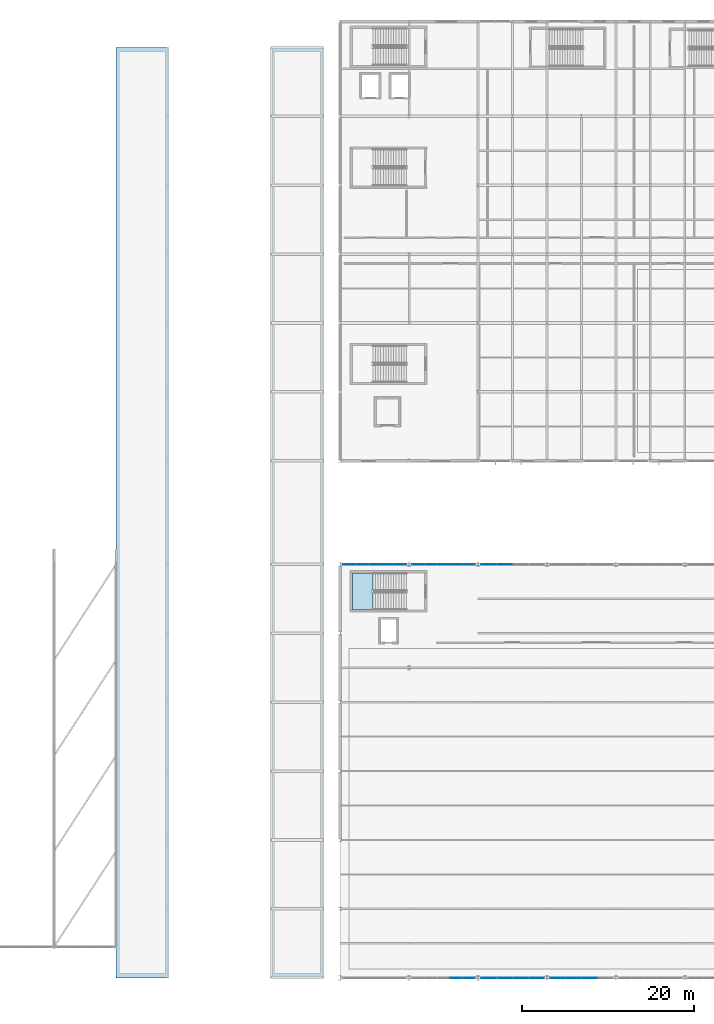
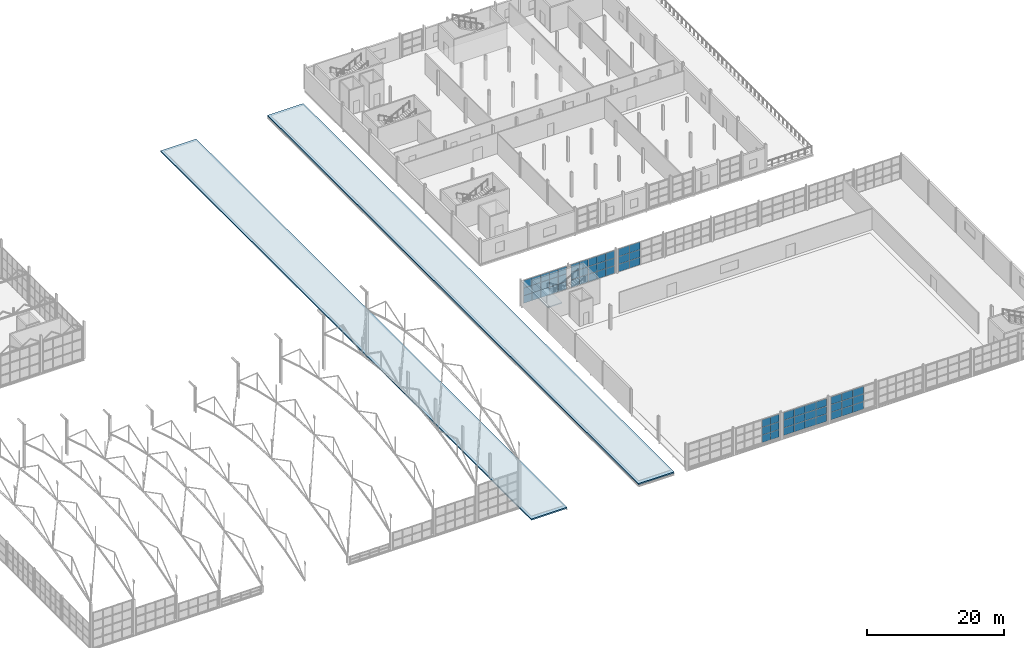
# One storey, part 123 of 153: 63 plates, 3 slabs, 7 elements without a shape of their own.
"""IFC4 building model written with IfcOpenShell, lengths in metres."""

from ifc_helpers import new_model, si_unit, derived_unit, direction, frame, origin, origin_2d, place, context, subcontext, project, spatial, polyline, rectangle, outline, extrude, material, layer, layer_set, type_object, element, aggregate, save


model = new_model("IFC4")

# Units and contexts
model_context = context("Model", 3, precision=1e-05, world=origin(), true_north=direction((0.0, 1.0)))
body_context = subcontext(model_context, "Body", "Model", "MODEL_VIEW")
ifc_project = project(units=[si_unit("LENGTHUNIT", "METRE"), si_unit("AREAUNIT", "SQUARE_METRE"), si_unit("VOLUMEUNIT", "CUBIC_METRE"), si_unit("PLANEANGLEUNIT", "RADIAN"), si_unit("MASSUNIT", "GRAM", prefix="KILO"), derived_unit("THERMALTRANSMITTANCEUNIT", [(si_unit("POWERUNIT", "WATT"), 1), (si_unit("LENGTHUNIT", "METRE"), -2), (si_unit("THERMODYNAMICTEMPERATUREUNIT", "KELVIN"), -1)])], contexts=[model_context])

# Site, building, storey
site_placement = place(None, origin())
site = spatial("IfcSite", under=ifc_project, at=site_placement, CompositionType="ELEMENT")
building_placement = place(site_placement, origin())
building = spatial("IfcBuilding", under=site, at=building_placement, Name="Keldorne Ridge Multi-Sports Centre", CompositionType="ELEMENT")
storey_placement = place(building_placement, frame((0.0, 0.0, 9.60009765625)))
storey = spatial("IfcBuildingStorey", under=building, at=storey_placement, Name="L02", CompositionType="ELEMENT", Elevation=9.60009765625)

# Curtain wall, plates
ifc_material_1 = material(Name="Anodized aluminium", Category="aluminium")
curtain_wall_type_1 = type_object("IfcCurtainWallType", Name="CW-CW-04", PredefinedType="NOTDEFINED", material=ifc_material_1)
curtain_wall_1_placement = place(storey_placement, origin())
curtain_wall_1 = element("IfcCurtainWall", 1, at=curtain_wall_1_placement, inside=storey, type_object=curtain_wall_type_1, Name="Upper Courts north glazing 092", PredefinedType="NOTDEFINED")
ifc_material_2 = material(Name="Double low-e insulated glazing", Category="glass")
ifc_layer_1 = layer(ifc_material_2, 0.035888671875)
ifc_layer_set_1 = layer_set([ifc_layer_1])
plate_type = type_object("IfcPlateType", Name="PLT-GL-01", PredefinedType="CURTAIN_PANEL", material=ifc_layer_set_1)
plate_1_placement = place(storey_placement, frame((110.927978515625, 54.0, 0.019775390625), z_axis=(0.0, 0.0, 1.0), x_axis=(-1.0, 0.0, 0.0)))
plate_1 = element("IfcPlate", 2, at=plate_1_placement, type_object=plate_type, Name="CW-092 glazed panel 1.1", PredefinedType="CURTAIN_PANEL", context=body_context, shape_type="SweptSolid", body=[
    extrude(rectangle(XDim=1.424072265625, YDim=0.035888671875, at=origin_2d()), origin(), (0.0, 0.0, 1.0), 1.32666015625),
])
plate_2_placement = place(storey_placement, frame((110.927978515625, 54.0, 1.386474609375), z_axis=(0.0, 0.0, 1.0), x_axis=(-1.0, 0.0, 0.0)))
plate_2 = element("IfcPlate", 3, at=plate_2_placement, type_object=plate_type, Name="CW-092 glazed panel 1.2", PredefinedType="CURTAIN_PANEL", context=body_context, shape_type="SweptSolid", body=[
    extrude(rectangle(XDim=1.424072265625, YDim=0.035888671875, at=origin_2d()), origin(), (0.0, 0.0, 1.0), 1.32666015625),
])
plate_3_placement = place(storey_placement, frame((110.927978515625, 54.0, 2.753173828125), z_axis=(0.0, 0.0, 1.0), x_axis=(-1.0, 0.0, 0.0)))
plate_3 = element("IfcPlate", 4, at=plate_3_placement, type_object=plate_type, Name="CW-092 glazed panel 1.3", PredefinedType="CURTAIN_PANEL", context=body_context, shape_type="SweptSolid", body=[
    extrude(rectangle(XDim=1.424072265625, YDim=0.035888671875, at=origin_2d()), origin(), (0.0, 0.0, 1.0), 1.32666015625),
])
plate_4_placement = place(storey_placement, frame((109.464111328125, 54.0, 0.019775390625), z_axis=(0.0, 0.0, 1.0), x_axis=(-1.0, 0.0, 0.0)))
plate_4 = element("IfcPlate", 5, at=plate_4_placement, type_object=plate_type, Name="CW-092 glazed panel 2.1", PredefinedType="CURTAIN_PANEL", context=body_context, shape_type="SweptSolid", body=[
    extrude(rectangle(XDim=1.424072265625, YDim=0.035888671875, at=origin_2d()), origin(), (0.0, 0.0, 1.0), 1.32666015625),
])
plate_5_placement = place(storey_placement, frame((109.464111328125, 54.0, 1.386474609375), z_axis=(0.0, 0.0, 1.0), x_axis=(-1.0, 0.0, 0.0)))
plate_5 = element("IfcPlate", 6, at=plate_5_placement, type_object=plate_type, Name="CW-092 glazed panel 2.2", PredefinedType="CURTAIN_PANEL", context=body_context, shape_type="SweptSolid", body=[
    extrude(rectangle(XDim=1.424072265625, YDim=0.035888671875, at=origin_2d()), origin(), (0.0, 0.0, 1.0), 1.32666015625),
])
plate_6_placement = place(storey_placement, frame((109.464111328125, 54.0, 2.753173828125), z_axis=(0.0, 0.0, 1.0), x_axis=(-1.0, 0.0, 0.0)))
plate_6 = element("IfcPlate", 7, at=plate_6_placement, type_object=plate_type, Name="CW-092 glazed panel 2.3", PredefinedType="CURTAIN_PANEL", context=body_context, shape_type="SweptSolid", body=[
    extrude(rectangle(XDim=1.424072265625, YDim=0.035888671875, at=origin_2d()), origin(), (0.0, 0.0, 1.0), 1.32666015625),
])
plate_7_placement = place(storey_placement, frame((108.0, 54.0, 0.019775390625), z_axis=(0.0, 0.0, 1.0), x_axis=(-1.0, 0.0, 0.0)))
plate_7 = element("IfcPlate", 8, at=plate_7_placement, type_object=plate_type, Name="CW-092 glazed panel 3.1", PredefinedType="CURTAIN_PANEL", context=body_context, shape_type="SweptSolid", body=[
    extrude(rectangle(XDim=1.424072265625, YDim=0.035888671875, at=origin_2d()), origin(), (0.0, 0.0, 1.0), 1.32666015625),
])
plate_8_placement = place(storey_placement, frame((108.0, 54.0, 1.386474609375), z_axis=(0.0, 0.0, 1.0), x_axis=(-1.0, 0.0, 0.0)))
plate_8 = element("IfcPlate", 9, at=plate_8_placement, type_object=plate_type, Name="CW-092 glazed panel 3.2", PredefinedType="CURTAIN_PANEL", context=body_context, shape_type="SweptSolid", body=[
    extrude(rectangle(XDim=1.424072265625, YDim=0.035888671875, at=origin_2d()), origin(), (0.0, 0.0, 1.0), 1.32666015625),
])
plate_9_placement = place(storey_placement, frame((108.0, 54.0, 2.753173828125), z_axis=(0.0, 0.0, 1.0), x_axis=(-1.0, 0.0, 0.0)))
plate_9 = element("IfcPlate", 10, at=plate_9_placement, type_object=plate_type, Name="CW-092 glazed panel 3.3", PredefinedType="CURTAIN_PANEL", context=body_context, shape_type="SweptSolid", body=[
    extrude(rectangle(XDim=1.424072265625, YDim=0.035888671875, at=origin_2d()), origin(), (0.0, 0.0, 1.0), 1.32666015625),
])
plate_10_placement = place(storey_placement, frame((106.535888671875, 54.0, 0.019775390625), z_axis=(0.0, 0.0, 1.0), x_axis=(-1.0, 0.0, 0.0)))
plate_10 = element("IfcPlate", 11, at=plate_10_placement, type_object=plate_type, Name="CW-092 glazed panel 4.1", PredefinedType="CURTAIN_PANEL", context=body_context, shape_type="SweptSolid", body=[
    extrude(rectangle(XDim=1.424072265625, YDim=0.035888671875, at=origin_2d()), origin(), (0.0, 0.0, 1.0), 1.32666015625),
])
plate_11_placement = place(storey_placement, frame((106.535888671875, 54.0, 1.386474609375), z_axis=(0.0, 0.0, 1.0), x_axis=(-1.0, 0.0, 0.0)))
plate_11 = element("IfcPlate", 12, at=plate_11_placement, type_object=plate_type, Name="CW-092 glazed panel 4.2", PredefinedType="CURTAIN_PANEL", context=body_context, shape_type="SweptSolid", body=[
    extrude(rectangle(XDim=1.424072265625, YDim=0.035888671875, at=origin_2d()), origin(), (0.0, 0.0, 1.0), 1.32666015625),
])
plate_12_placement = place(storey_placement, frame((106.535888671875, 54.0, 2.753173828125), z_axis=(0.0, 0.0, 1.0), x_axis=(-1.0, 0.0, 0.0)))
plate_12 = element("IfcPlate", 13, at=plate_12_placement, type_object=plate_type, Name="CW-092 glazed panel 4.3", PredefinedType="CURTAIN_PANEL", context=body_context, shape_type="SweptSolid", body=[
    extrude(rectangle(XDim=1.424072265625, YDim=0.035888671875, at=origin_2d()), origin(), (0.0, 0.0, 1.0), 1.32666015625),
])
plate_13_placement = place(storey_placement, frame((105.072021484375, 54.0, 0.019775390625), z_axis=(0.0, 0.0, 1.0), x_axis=(-1.0, 0.0, 0.0)))
plate_13 = element("IfcPlate", 14, at=plate_13_placement, type_object=plate_type, Name="CW-092 glazed panel 5.1", PredefinedType="CURTAIN_PANEL", context=body_context, shape_type="SweptSolid", body=[
    extrude(rectangle(XDim=1.424072265625, YDim=0.035888671875, at=origin_2d()), origin(), (0.0, 0.0, 1.0), 1.32666015625),
])
plate_14_placement = place(storey_placement, frame((105.072021484375, 54.0, 1.386474609375), z_axis=(0.0, 0.0, 1.0), x_axis=(-1.0, 0.0, 0.0)))
plate_14 = element("IfcPlate", 15, at=plate_14_placement, type_object=plate_type, Name="CW-092 glazed panel 5.2", PredefinedType="CURTAIN_PANEL", context=body_context, shape_type="SweptSolid", body=[
    extrude(rectangle(XDim=1.424072265625, YDim=0.035888671875, at=origin_2d()), origin(), (0.0, 0.0, 1.0), 1.32666015625),
])
plate_15_placement = place(storey_placement, frame((105.072021484375, 54.0, 2.753173828125), z_axis=(0.0, 0.0, 1.0), x_axis=(-1.0, 0.0, 0.0)))
plate_15 = element("IfcPlate", 16, at=plate_15_placement, type_object=plate_type, Name="CW-092 glazed panel 5.3", PredefinedType="CURTAIN_PANEL", context=body_context, shape_type="SweptSolid", body=[
    extrude(rectangle(XDim=1.424072265625, YDim=0.035888671875, at=origin_2d()), origin(), (0.0, 0.0, 1.0), 1.32666015625),
])
aggregate(curtain_wall_1, [plate_1, plate_2, plate_3, plate_4, plate_5, plate_6, plate_7, plate_8, plate_9, plate_10, plate_11, plate_12, plate_13, plate_14, plate_15])

curtain_wall_type_2 = type_object("IfcCurtainWallType", Name="CW-CW-07", PredefinedType="NOTDEFINED", material=ifc_material_1)
curtain_wall_2_placement = place(storey_placement, origin())
curtain_wall_2 = element("IfcCurtainWall", 17, at=curtain_wall_2_placement, inside=storey, type_object=curtain_wall_type_2, Name="Upper Courts south curtain wall 095", PredefinedType="NOTDEFINED")
plate_16_placement = place(storey_placement, frame((117.464111328125, 6.0, 0.019775390625), z_axis=(0.0, 0.0, 1.0), x_axis=(1.0, 0.0, 0.0)))
plate_16 = element("IfcPlate", 18, at=plate_16_placement, type_object=plate_type, Name="CW-095 glazed panel 4.1", PredefinedType="CURTAIN_PANEL", context=body_context, shape_type="SweptSolid", body=[
    extrude(rectangle(XDim=1.424072265625, YDim=0.035888671875, at=origin_2d()), origin(), (0.0, 0.0, 1.0), 1.32666015625),
])
plate_17_placement = place(storey_placement, frame((117.464111328125, 6.0, 1.386474609375), z_axis=(0.0, 0.0, 1.0), x_axis=(1.0, 0.0, 0.0)))
plate_17 = element("IfcPlate", 19, at=plate_17_placement, type_object=plate_type, Name="CW-095 glazed panel 4.2", PredefinedType="CURTAIN_PANEL", context=body_context, shape_type="SweptSolid", body=[
    extrude(rectangle(XDim=1.424072265625, YDim=0.035888671875, at=origin_2d()), origin(), (0.0, 0.0, 1.0), 1.32666015625),
])
plate_18_placement = place(storey_placement, frame((117.464111328125, 6.0, 2.753173828125), z_axis=(0.0, 0.0, 1.0), x_axis=(1.0, 0.0, 0.0)))
plate_18 = element("IfcPlate", 20, at=plate_18_placement, type_object=plate_type, Name="CW-095 glazed panel 4.3", PredefinedType="CURTAIN_PANEL", context=body_context, shape_type="SweptSolid", body=[
    extrude(rectangle(XDim=1.424072265625, YDim=0.035888671875, at=origin_2d()), origin(), (0.0, 0.0, 1.0), 1.32666015625),
])
plate_19_placement = place(storey_placement, frame((118.927978515625, 6.0, 0.019775390625), z_axis=(0.0, 0.0, 1.0), x_axis=(1.0, 0.0, 0.0)))
plate_19 = element("IfcPlate", 21, at=plate_19_placement, type_object=plate_type, Name="CW-095 glazed panel 5.1", PredefinedType="CURTAIN_PANEL", context=body_context, shape_type="SweptSolid", body=[
    extrude(rectangle(XDim=1.424072265625, YDim=0.035888671875, at=origin_2d()), origin(), (0.0, 0.0, 1.0), 1.32666015625),
])
plate_20_placement = place(storey_placement, frame((118.927978515625, 6.0, 1.386474609375), z_axis=(0.0, 0.0, 1.0), x_axis=(1.0, 0.0, 0.0)))
plate_20 = element("IfcPlate", 22, at=plate_20_placement, type_object=plate_type, Name="CW-095 glazed panel 5.2", PredefinedType="CURTAIN_PANEL", context=body_context, shape_type="SweptSolid", body=[
    extrude(rectangle(XDim=1.424072265625, YDim=0.035888671875, at=origin_2d()), origin(), (0.0, 0.0, 1.0), 1.32666015625),
])
plate_21_placement = place(storey_placement, frame((118.927978515625, 6.0, 2.753173828125), z_axis=(0.0, 0.0, 1.0), x_axis=(1.0, 0.0, 0.0)))
plate_21 = element("IfcPlate", 23, at=plate_21_placement, type_object=plate_type, Name="CW-095 glazed panel 5.3", PredefinedType="CURTAIN_PANEL", context=body_context, shape_type="SweptSolid", body=[
    extrude(rectangle(XDim=1.424072265625, YDim=0.035888671875, at=origin_2d()), origin(), (0.0, 0.0, 1.0), 1.32666015625),
])
aggregate(curtain_wall_2, [plate_16, plate_17, plate_18, plate_19, plate_20, plate_21])

curtain_wall_type_3 = type_object("IfcCurtainWallType", Name="CW-CW-02", PredefinedType="NOTDEFINED", material=ifc_material_1)
curtain_wall_3_placement = place(storey_placement, origin())
curtain_wall_3 = element("IfcCurtainWall", 24, at=curtain_wall_3_placement, inside=storey, type_object=curtain_wall_type_3, Name="Upper Courts north glazing 098", PredefinedType="NOTDEFINED")
plate_22_placement = place(storey_placement, frame((118.927978515625, 54.0, 0.019775390625), z_axis=(0.0, 0.0, 1.0), x_axis=(-1.0, 0.0, 0.0)))
plate_22 = element("IfcPlate", 25, at=plate_22_placement, type_object=plate_type, Name="CW-098 glazed panel 1.1", PredefinedType="CURTAIN_PANEL", context=body_context, shape_type="SweptSolid", body=[
    extrude(rectangle(XDim=1.424072265625, YDim=0.035888671875, at=origin_2d()), origin(), (0.0, 0.0, 1.0), 1.32666015625),
])
plate_23_placement = place(storey_placement, frame((118.927978515625, 54.0, 1.386474609375), z_axis=(0.0, 0.0, 1.0), x_axis=(-1.0, 0.0, 0.0)))
plate_23 = element("IfcPlate", 26, at=plate_23_placement, type_object=plate_type, Name="CW-098 glazed panel 1.2", PredefinedType="CURTAIN_PANEL", context=body_context, shape_type="SweptSolid", body=[
    extrude(rectangle(XDim=1.424072265625, YDim=0.035888671875, at=origin_2d()), origin(), (0.0, 0.0, 1.0), 1.32666015625),
])
plate_24_placement = place(storey_placement, frame((118.927978515625, 54.0, 2.753173828125), z_axis=(0.0, 0.0, 1.0), x_axis=(-1.0, 0.0, 0.0)))
plate_24 = element("IfcPlate", 27, at=plate_24_placement, type_object=plate_type, Name="CW-098 glazed panel 1.3", PredefinedType="CURTAIN_PANEL", context=body_context, shape_type="SweptSolid", body=[
    extrude(rectangle(XDim=1.424072265625, YDim=0.035888671875, at=origin_2d()), origin(), (0.0, 0.0, 1.0), 1.32666015625),
])
plate_25_placement = place(storey_placement, frame((117.464111328125, 54.0, 0.019775390625), z_axis=(0.0, 0.0, 1.0), x_axis=(-1.0, 0.0, 0.0)))
plate_25 = element("IfcPlate", 28, at=plate_25_placement, type_object=plate_type, Name="CW-098 glazed panel 2.1", PredefinedType="CURTAIN_PANEL", context=body_context, shape_type="SweptSolid", body=[
    extrude(rectangle(XDim=1.424072265625, YDim=0.035888671875, at=origin_2d()), origin(), (0.0, 0.0, 1.0), 1.32666015625),
])
plate_26_placement = place(storey_placement, frame((117.464111328125, 54.0, 1.386474609375), z_axis=(0.0, 0.0, 1.0), x_axis=(-1.0, 0.0, 0.0)))
plate_26 = element("IfcPlate", 29, at=plate_26_placement, type_object=plate_type, Name="CW-098 glazed panel 2.2", PredefinedType="CURTAIN_PANEL", context=body_context, shape_type="SweptSolid", body=[
    extrude(rectangle(XDim=1.424072265625, YDim=0.035888671875, at=origin_2d()), origin(), (0.0, 0.0, 1.0), 1.32666015625),
])
plate_27_placement = place(storey_placement, frame((117.464111328125, 54.0, 2.753173828125), z_axis=(0.0, 0.0, 1.0), x_axis=(-1.0, 0.0, 0.0)))
plate_27 = element("IfcPlate", 30, at=plate_27_placement, type_object=plate_type, Name="CW-098 glazed panel 2.3", PredefinedType="CURTAIN_PANEL", context=body_context, shape_type="SweptSolid", body=[
    extrude(rectangle(XDim=1.424072265625, YDim=0.035888671875, at=origin_2d()), origin(), (0.0, 0.0, 1.0), 1.32666015625),
])
plate_28_placement = place(storey_placement, frame((116.0, 54.0, 0.019775390625), z_axis=(0.0, 0.0, 1.0), x_axis=(-1.0, 0.0, 0.0)))
plate_28 = element("IfcPlate", 31, at=plate_28_placement, type_object=plate_type, Name="CW-098 glazed panel 3.1", PredefinedType="CURTAIN_PANEL", context=body_context, shape_type="SweptSolid", body=[
    extrude(rectangle(XDim=1.424072265625, YDim=0.035888671875, at=origin_2d()), origin(), (0.0, 0.0, 1.0), 1.32666015625),
])
plate_29_placement = place(storey_placement, frame((116.0, 54.0, 1.386474609375), z_axis=(0.0, 0.0, 1.0), x_axis=(-1.0, 0.0, 0.0)))
plate_29 = element("IfcPlate", 32, at=plate_29_placement, type_object=plate_type, Name="CW-098 glazed panel 3.2", PredefinedType="CURTAIN_PANEL", context=body_context, shape_type="SweptSolid", body=[
    extrude(rectangle(XDim=1.424072265625, YDim=0.035888671875, at=origin_2d()), origin(), (0.0, 0.0, 1.0), 1.32666015625),
])
plate_30_placement = place(storey_placement, frame((116.0, 54.0, 2.753173828125), z_axis=(0.0, 0.0, 1.0), x_axis=(-1.0, 0.0, 0.0)))
plate_30 = element("IfcPlate", 33, at=plate_30_placement, type_object=plate_type, Name="CW-098 glazed panel 3.3", PredefinedType="CURTAIN_PANEL", context=body_context, shape_type="SweptSolid", body=[
    extrude(rectangle(XDim=1.424072265625, YDim=0.035888671875, at=origin_2d()), origin(), (0.0, 0.0, 1.0), 1.32666015625),
])
plate_31_placement = place(storey_placement, frame((114.535888671875, 54.0, 0.019775390625), z_axis=(0.0, 0.0, 1.0), x_axis=(-1.0, 0.0, 0.0)))
plate_31 = element("IfcPlate", 34, at=plate_31_placement, type_object=plate_type, Name="CW-098 glazed panel 4.1", PredefinedType="CURTAIN_PANEL", context=body_context, shape_type="SweptSolid", body=[
    extrude(rectangle(XDim=1.424072265625, YDim=0.035888671875, at=origin_2d()), origin(), (0.0, 0.0, 1.0), 1.32666015625),
])
plate_32_placement = place(storey_placement, frame((114.535888671875, 54.0, 1.386474609375), z_axis=(0.0, 0.0, 1.0), x_axis=(-1.0, 0.0, 0.0)))
plate_32 = element("IfcPlate", 35, at=plate_32_placement, type_object=plate_type, Name="CW-098 glazed panel 4.2", PredefinedType="CURTAIN_PANEL", context=body_context, shape_type="SweptSolid", body=[
    extrude(rectangle(XDim=1.424072265625, YDim=0.035888671875, at=origin_2d()), origin(), (0.0, 0.0, 1.0), 1.32666015625),
])
plate_33_placement = place(storey_placement, frame((114.535888671875, 54.0, 2.753173828125), z_axis=(0.0, 0.0, 1.0), x_axis=(-1.0, 0.0, 0.0)))
plate_33 = element("IfcPlate", 36, at=plate_33_placement, type_object=plate_type, Name="CW-098 glazed panel 4.3", PredefinedType="CURTAIN_PANEL", context=body_context, shape_type="SweptSolid", body=[
    extrude(rectangle(XDim=1.424072265625, YDim=0.035888671875, at=origin_2d()), origin(), (0.0, 0.0, 1.0), 1.32666015625),
])
plate_34_placement = place(storey_placement, frame((113.072021484375, 54.0, 0.019775390625), z_axis=(0.0, 0.0, 1.0), x_axis=(-1.0, 0.0, 0.0)))
plate_34 = element("IfcPlate", 37, at=plate_34_placement, type_object=plate_type, Name="CW-098 glazed panel 5.1", PredefinedType="CURTAIN_PANEL", context=body_context, shape_type="SweptSolid", body=[
    extrude(rectangle(XDim=1.424072265625, YDim=0.035888671875, at=origin_2d()), origin(), (0.0, 0.0, 1.0), 1.32666015625),
])
plate_35_placement = place(storey_placement, frame((113.072021484375, 54.0, 1.386474609375), z_axis=(0.0, 0.0, 1.0), x_axis=(-1.0, 0.0, 0.0)))
plate_35 = element("IfcPlate", 38, at=plate_35_placement, type_object=plate_type, Name="CW-098 glazed panel 5.2", PredefinedType="CURTAIN_PANEL", context=body_context, shape_type="SweptSolid", body=[
    extrude(rectangle(XDim=1.424072265625, YDim=0.035888671875, at=origin_2d()), origin(), (0.0, 0.0, 1.0), 1.32666015625),
])
plate_36_placement = place(storey_placement, frame((113.072021484375, 54.0, 2.753173828125), z_axis=(0.0, 0.0, 1.0), x_axis=(-1.0, 0.0, 0.0)))
plate_36 = element("IfcPlate", 39, at=plate_36_placement, type_object=plate_type, Name="CW-098 glazed panel 5.3", PredefinedType="CURTAIN_PANEL", context=body_context, shape_type="SweptSolid", body=[
    extrude(rectangle(XDim=1.424072265625, YDim=0.035888671875, at=origin_2d()), origin(), (0.0, 0.0, 1.0), 1.32666015625),
])
aggregate(curtain_wall_3, [plate_22, plate_23, plate_24, plate_25, plate_26, plate_27, plate_28, plate_29, plate_30, plate_31, plate_32, plate_33, plate_34, plate_35, plate_36])

curtain_wall_type_4 = type_object("IfcCurtainWallType", Name="CW-CW-05", PredefinedType="NOTDEFINED", material=ifc_material_1)
curtain_wall_4_placement = place(storey_placement, origin())
curtain_wall_4 = element("IfcCurtainWall", 40, at=curtain_wall_4_placement, inside=storey, type_object=curtain_wall_type_4, Name="Upper Courts south curtain wall 101", PredefinedType="NOTDEFINED")
plate_37_placement = place(storey_placement, frame((121.2548828125, 6.0, 0.019775390625), z_axis=(0.0, 0.0, 1.0), x_axis=(1.0, 0.0, 0.0)))
plate_37 = element("IfcPlate", 41, at=plate_37_placement, type_object=plate_type, Name="CW-101 glazed panel 1.1", PredefinedType="CURTAIN_PANEL", context=body_context, shape_type="SweptSolid", body=[
    extrude(rectangle(XDim=1.7900390625, YDim=0.035888671875, at=origin_2d()), origin(), (0.0, 0.0, 1.0), 1.32666015625),
])
plate_38_placement = place(storey_placement, frame((121.2548828125, 6.0, 1.386474609375), z_axis=(0.0, 0.0, 1.0), x_axis=(1.0, 0.0, 0.0)))
plate_38 = element("IfcPlate", 42, at=plate_38_placement, type_object=plate_type, Name="CW-101 glazed panel 1.2", PredefinedType="CURTAIN_PANEL", context=body_context, shape_type="SweptSolid", body=[
    extrude(rectangle(XDim=1.7900390625, YDim=0.035888671875, at=origin_2d()), origin(), (0.0, 0.0, 1.0), 1.32666015625),
])
plate_39_placement = place(storey_placement, frame((121.2548828125, 6.0, 2.753173828125), z_axis=(0.0, 0.0, 1.0), x_axis=(1.0, 0.0, 0.0)))
plate_39 = element("IfcPlate", 43, at=plate_39_placement, type_object=plate_type, Name="CW-101 glazed panel 1.3", PredefinedType="CURTAIN_PANEL", context=body_context, shape_type="SweptSolid", body=[
    extrude(rectangle(XDim=1.7900390625, YDim=0.035888671875, at=origin_2d()), origin(), (0.0, 0.0, 1.0), 1.32666015625),
])
plate_40_placement = place(storey_placement, frame((123.0849609375, 6.0, 0.019775390625), z_axis=(0.0, 0.0, 1.0), x_axis=(1.0, 0.0, 0.0)))
plate_40 = element("IfcPlate", 44, at=plate_40_placement, type_object=plate_type, Name="CW-101 glazed panel 2.1", PredefinedType="CURTAIN_PANEL", context=body_context, shape_type="SweptSolid", body=[
    extrude(rectangle(XDim=1.7900390625, YDim=0.035888671875, at=origin_2d()), origin(), (0.0, 0.0, 1.0), 1.32666015625),
])
plate_41_placement = place(storey_placement, frame((123.0849609375, 6.0, 1.386474609375), z_axis=(0.0, 0.0, 1.0), x_axis=(1.0, 0.0, 0.0)))
plate_41 = element("IfcPlate", 45, at=plate_41_placement, type_object=plate_type, Name="CW-101 glazed panel 2.2", PredefinedType="CURTAIN_PANEL", context=body_context, shape_type="SweptSolid", body=[
    extrude(rectangle(XDim=1.7900390625, YDim=0.035888671875, at=origin_2d()), origin(), (0.0, 0.0, 1.0), 1.32666015625),
])
plate_42_placement = place(storey_placement, frame((123.0849609375, 6.0, 2.753173828125), z_axis=(0.0, 0.0, 1.0), x_axis=(1.0, 0.0, 0.0)))
plate_42 = element("IfcPlate", 46, at=plate_42_placement, type_object=plate_type, Name="CW-101 glazed panel 2.3", PredefinedType="CURTAIN_PANEL", context=body_context, shape_type="SweptSolid", body=[
    extrude(rectangle(XDim=1.7900390625, YDim=0.035888671875, at=origin_2d()), origin(), (0.0, 0.0, 1.0), 1.32666015625),
])
plate_43_placement = place(storey_placement, frame((124.9150390625, 6.0, 0.019775390625), z_axis=(0.0, 0.0, 1.0), x_axis=(1.0, 0.0, 0.0)))
plate_43 = element("IfcPlate", 47, at=plate_43_placement, type_object=plate_type, Name="CW-101 glazed panel 3.1", PredefinedType="CURTAIN_PANEL", context=body_context, shape_type="SweptSolid", body=[
    extrude(rectangle(XDim=1.7900390625, YDim=0.035888671875, at=origin_2d()), origin(), (0.0, 0.0, 1.0), 1.32666015625),
])
plate_44_placement = place(storey_placement, frame((124.9150390625, 6.0, 1.386474609375), z_axis=(0.0, 0.0, 1.0), x_axis=(1.0, 0.0, 0.0)))
plate_44 = element("IfcPlate", 48, at=plate_44_placement, type_object=plate_type, Name="CW-101 glazed panel 3.2", PredefinedType="CURTAIN_PANEL", context=body_context, shape_type="SweptSolid", body=[
    extrude(rectangle(XDim=1.7900390625, YDim=0.035888671875, at=origin_2d()), origin(), (0.0, 0.0, 1.0), 1.32666015625),
])
plate_45_placement = place(storey_placement, frame((124.9150390625, 6.0, 2.753173828125), z_axis=(0.0, 0.0, 1.0), x_axis=(1.0, 0.0, 0.0)))
plate_45 = element("IfcPlate", 49, at=plate_45_placement, type_object=plate_type, Name="CW-101 glazed panel 3.3", PredefinedType="CURTAIN_PANEL", context=body_context, shape_type="SweptSolid", body=[
    extrude(rectangle(XDim=1.7900390625, YDim=0.035888671875, at=origin_2d()), origin(), (0.0, 0.0, 1.0), 1.32666015625),
])
plate_46_placement = place(storey_placement, frame((126.7451171875, 6.0, 0.019775390625), z_axis=(0.0, 0.0, 1.0), x_axis=(1.0, 0.0, 0.0)))
plate_46 = element("IfcPlate", 50, at=plate_46_placement, type_object=plate_type, Name="CW-101 glazed panel 4.1", PredefinedType="CURTAIN_PANEL", context=body_context, shape_type="SweptSolid", body=[
    extrude(rectangle(XDim=1.7900390625, YDim=0.035888671875, at=origin_2d()), origin(), (0.0, 0.0, 1.0), 1.32666015625),
])
plate_47_placement = place(storey_placement, frame((126.7451171875, 6.0, 1.386474609375), z_axis=(0.0, 0.0, 1.0), x_axis=(1.0, 0.0, 0.0)))
plate_47 = element("IfcPlate", 51, at=plate_47_placement, type_object=plate_type, Name="CW-101 glazed panel 4.2", PredefinedType="CURTAIN_PANEL", context=body_context, shape_type="SweptSolid", body=[
    extrude(rectangle(XDim=1.7900390625, YDim=0.035888671875, at=origin_2d()), origin(), (0.0, 0.0, 1.0), 1.32666015625),
])
plate_48_placement = place(storey_placement, frame((126.7451171875, 6.0, 2.753173828125), z_axis=(0.0, 0.0, 1.0), x_axis=(1.0, 0.0, 0.0)))
plate_48 = element("IfcPlate", 52, at=plate_48_placement, type_object=plate_type, Name="CW-101 glazed panel 4.3", PredefinedType="CURTAIN_PANEL", context=body_context, shape_type="SweptSolid", body=[
    extrude(rectangle(XDim=1.7900390625, YDim=0.035888671875, at=origin_2d()), origin(), (0.0, 0.0, 1.0), 1.32666015625),
])
aggregate(curtain_wall_4, [plate_37, plate_38, plate_39, plate_40, plate_41, plate_42, plate_43, plate_44, plate_45, plate_46, plate_47, plate_48])

curtain_wall_type_5 = type_object("IfcCurtainWallType", Name="CW-CW-08", PredefinedType="NOTDEFINED", material=ifc_material_1)
curtain_wall_5_placement = place(storey_placement, origin())
curtain_wall_5 = element("IfcCurtainWall", 53, at=curtain_wall_5_placement, inside=storey, type_object=curtain_wall_type_5, Name="Upper Courts north glazing 104", PredefinedType="NOTDEFINED")
plate_49_placement = place(storey_placement, frame((123.0849609375, 54.0, 0.019775390625), z_axis=(0.0, 0.0, 1.0), x_axis=(-1.0, 0.0, 0.0)))
plate_49 = element("IfcPlate", 54, at=plate_49_placement, type_object=plate_type, Name="CW-104 glazed panel 3.1", PredefinedType="CURTAIN_PANEL", context=body_context, shape_type="SweptSolid", body=[
    extrude(rectangle(XDim=1.7900390625, YDim=0.035888671875, at=origin_2d()), origin(), (0.0, 0.0, 1.0), 1.32666015625),
])
plate_50_placement = place(storey_placement, frame((123.0849609375, 54.0, 1.386474609375), z_axis=(0.0, 0.0, 1.0), x_axis=(-1.0, 0.0, 0.0)))
plate_50 = element("IfcPlate", 55, at=plate_50_placement, type_object=plate_type, Name="CW-104 glazed panel 3.2", PredefinedType="CURTAIN_PANEL", context=body_context, shape_type="SweptSolid", body=[
    extrude(rectangle(XDim=1.7900390625, YDim=0.035888671875, at=origin_2d()), origin(), (0.0, 0.0, 1.0), 1.32666015625),
])
plate_51_placement = place(storey_placement, frame((123.0849609375, 54.0, 2.753173828125), z_axis=(0.0, 0.0, 1.0), x_axis=(-1.0, 0.0, 0.0)))
plate_51 = element("IfcPlate", 56, at=plate_51_placement, type_object=plate_type, Name="CW-104 glazed panel 3.3", PredefinedType="CURTAIN_PANEL", context=body_context, shape_type="SweptSolid", body=[
    extrude(rectangle(XDim=1.7900390625, YDim=0.035888671875, at=origin_2d()), origin(), (0.0, 0.0, 1.0), 1.32666015625),
])
plate_52_placement = place(storey_placement, frame((121.2548828125, 54.0, 0.019775390625), z_axis=(0.0, 0.0, 1.0), x_axis=(-1.0, 0.0, 0.0)))
plate_52 = element("IfcPlate", 57, at=plate_52_placement, type_object=plate_type, Name="CW-104 glazed panel 4.1", PredefinedType="CURTAIN_PANEL", context=body_context, shape_type="SweptSolid", body=[
    extrude(rectangle(XDim=1.7900390625, YDim=0.035888671875, at=origin_2d()), origin(), (0.0, 0.0, 1.0), 1.32666015625),
])
plate_53_placement = place(storey_placement, frame((121.2548828125, 54.0, 1.386474609375), z_axis=(0.0, 0.0, 1.0), x_axis=(-1.0, 0.0, 0.0)))
plate_53 = element("IfcPlate", 58, at=plate_53_placement, type_object=plate_type, Name="CW-104 glazed panel 4.2", PredefinedType="CURTAIN_PANEL", context=body_context, shape_type="SweptSolid", body=[
    extrude(rectangle(XDim=1.7900390625, YDim=0.035888671875, at=origin_2d()), origin(), (0.0, 0.0, 1.0), 1.32666015625),
])
plate_54_placement = place(storey_placement, frame((121.2548828125, 54.0, 2.753173828125), z_axis=(0.0, 0.0, 1.0), x_axis=(-1.0, 0.0, 0.0)))
plate_54 = element("IfcPlate", 59, at=plate_54_placement, type_object=plate_type, Name="CW-104 glazed panel 4.3", PredefinedType="CURTAIN_PANEL", context=body_context, shape_type="SweptSolid", body=[
    extrude(rectangle(XDim=1.7900390625, YDim=0.035888671875, at=origin_2d()), origin(), (0.0, 0.0, 1.0), 1.32666015625),
])
aggregate(curtain_wall_5, [plate_49, plate_50, plate_51, plate_52, plate_53, plate_54])

curtain_wall_type_6 = type_object("IfcCurtainWallType", Name="CW-CW-03", PredefinedType="NOTDEFINED", material=ifc_material_1)
curtain_wall_6_placement = place(storey_placement, origin())
curtain_wall_6 = element("IfcCurtainWall", 60, at=curtain_wall_6_placement, inside=storey, type_object=curtain_wall_type_6, Name="Upper Courts south curtain wall 107", PredefinedType="NOTDEFINED")
plate_55_placement = place(storey_placement, frame((129.2548828125, 6.0, 0.019775390625), z_axis=(0.0, 0.0, 1.0), x_axis=(1.0, 0.0, 0.0)))
plate_55 = element("IfcPlate", 61, at=plate_55_placement, type_object=plate_type, Name="CW-107 glazed panel 1.1", PredefinedType="CURTAIN_PANEL", context=body_context, shape_type="SweptSolid", body=[
    extrude(rectangle(XDim=1.7900390625, YDim=0.035888671875, at=origin_2d()), origin(), (0.0, 0.0, 1.0), 1.32666015625),
])
plate_56_placement = place(storey_placement, frame((129.2548828125, 6.0, 1.386474609375), z_axis=(0.0, 0.0, 1.0), x_axis=(1.0, 0.0, 0.0)))
plate_56 = element("IfcPlate", 62, at=plate_56_placement, type_object=plate_type, Name="CW-107 glazed panel 1.2", PredefinedType="CURTAIN_PANEL", context=body_context, shape_type="SweptSolid", body=[
    extrude(rectangle(XDim=1.7900390625, YDim=0.035888671875, at=origin_2d()), origin(), (0.0, 0.0, 1.0), 1.32666015625),
])
plate_57_placement = place(storey_placement, frame((129.2548828125, 6.0, 2.753173828125), z_axis=(0.0, 0.0, 1.0), x_axis=(1.0, 0.0, 0.0)))
plate_57 = element("IfcPlate", 63, at=plate_57_placement, type_object=plate_type, Name="CW-107 glazed panel 1.3", PredefinedType="CURTAIN_PANEL", context=body_context, shape_type="SweptSolid", body=[
    extrude(rectangle(XDim=1.7900390625, YDim=0.035888671875, at=origin_2d()), origin(), (0.0, 0.0, 1.0), 1.32666015625),
])
plate_58_placement = place(storey_placement, frame((131.0849609375, 6.0, 0.019775390625), z_axis=(0.0, 0.0, 1.0), x_axis=(1.0, 0.0, 0.0)))
plate_58 = element("IfcPlate", 64, at=plate_58_placement, type_object=plate_type, Name="CW-107 glazed panel 2.1", PredefinedType="CURTAIN_PANEL", context=body_context, shape_type="SweptSolid", body=[
    extrude(rectangle(XDim=1.7900390625, YDim=0.035888671875, at=origin_2d()), origin(), (0.0, 0.0, 1.0), 1.32666015625),
])
plate_59_placement = place(storey_placement, frame((131.0849609375, 6.0, 1.386474609375), z_axis=(0.0, 0.0, 1.0), x_axis=(1.0, 0.0, 0.0)))
plate_59 = element("IfcPlate", 65, at=plate_59_placement, type_object=plate_type, Name="CW-107 glazed panel 2.2", PredefinedType="CURTAIN_PANEL", context=body_context, shape_type="SweptSolid", body=[
    extrude(rectangle(XDim=1.7900390625, YDim=0.035888671875, at=origin_2d()), origin(), (0.0, 0.0, 1.0), 1.32666015625),
])
plate_60_placement = place(storey_placement, frame((131.0849609375, 6.0, 2.753173828125), z_axis=(0.0, 0.0, 1.0), x_axis=(1.0, 0.0, 0.0)))
plate_60 = element("IfcPlate", 66, at=plate_60_placement, type_object=plate_type, Name="CW-107 glazed panel 2.3", PredefinedType="CURTAIN_PANEL", context=body_context, shape_type="SweptSolid", body=[
    extrude(rectangle(XDim=1.7900390625, YDim=0.035888671875, at=origin_2d()), origin(), (0.0, 0.0, 1.0), 1.32666015625),
])
plate_61_placement = place(storey_placement, frame((132.9150390625, 6.0, 0.019775390625), z_axis=(0.0, 0.0, 1.0), x_axis=(1.0, 0.0, 0.0)))
plate_61 = element("IfcPlate", 67, at=plate_61_placement, type_object=plate_type, Name="CW-107 glazed panel 3.1", PredefinedType="CURTAIN_PANEL", context=body_context, shape_type="SweptSolid", body=[
    extrude(rectangle(XDim=1.7900390625, YDim=0.035888671875, at=origin_2d()), origin(), (0.0, 0.0, 1.0), 1.32666015625),
])
plate_62_placement = place(storey_placement, frame((132.9150390625, 6.0, 1.386474609375), z_axis=(0.0, 0.0, 1.0), x_axis=(1.0, 0.0, 0.0)))
plate_62 = element("IfcPlate", 68, at=plate_62_placement, type_object=plate_type, Name="CW-107 glazed panel 3.2", PredefinedType="CURTAIN_PANEL", context=body_context, shape_type="SweptSolid", body=[
    extrude(rectangle(XDim=1.7900390625, YDim=0.035888671875, at=origin_2d()), origin(), (0.0, 0.0, 1.0), 1.32666015625),
])
plate_63_placement = place(storey_placement, frame((132.9150390625, 6.0, 2.753173828125), z_axis=(0.0, 0.0, 1.0), x_axis=(1.0, 0.0, 0.0)))
plate_63 = element("IfcPlate", 69, at=plate_63_placement, type_object=plate_type, Name="CW-107 glazed panel 3.3", PredefinedType="CURTAIN_PANEL", context=body_context, shape_type="SweptSolid", body=[
    extrude(rectangle(XDim=1.7900390625, YDim=0.035888671875, at=origin_2d()), origin(), (0.0, 0.0, 1.0), 1.32666015625),
])
aggregate(curtain_wall_6, [plate_55, plate_56, plate_57, plate_58, plate_59, plate_60, plate_61, plate_62, plate_63])

# Stair, slab
ifc_material_3 = material(Name="Concrete C35/45", Category="concrete")
stair_type = type_object("IfcStairType", Name="STR-S01", PredefinedType="HALF_TURN_STAIR", material=ifc_material_3)
stair_placement = place(storey_placement, origin())
stair = element("IfcStair", 70, at=stair_placement, inside=storey, type_object=stair_type, Name="L02 Stacked Courts Core C4", PredefinedType="HALF_TURN_STAIR")
ifc_layer_2 = layer(ifc_material_3, 0.199951171875)
ifc_layer_set_2 = layer_set([ifc_layer_2], Name="Concrete C35/45")
slab_type_1 = type_object("IfcSlabType", Name="SLB-LDG-01", PredefinedType="LANDING", material=ifc_layer_set_2)
slab_1_placement = place(storey_placement, frame((0.0, 0.0, 2.0)))
slab_1 = element("IfcSlab", 71, at=slab_1_placement, type_object=slab_type_1, Name="ST-04 landing 1", PredefinedType="LANDING", context=body_context, shape_type="SweptSolid", body=[
    extrude(outline(polyline([(107.800048828125, 53.0), (105.39990234375, 53.0), (105.39990234375, 48.699951171875), (107.800048828125, 48.699951171875), (107.800048828125, 53.0)])), origin(), (0.0, 0.0, 1.0), 0.199951171875),
])
aggregate(stair, [slab_1])

# Slabs
ifc_layer_3 = layer(ifc_material_3, 0.22998046875)
ifc_layer_set_3 = layer_set([ifc_layer_3], Name="Concrete C35/45")
slab_type_2 = type_object("IfcSlabType", Name="SLB-SL-R01", PredefinedType="ROOF", material=ifc_layer_set_3)
slab_2_placement = place(storey_placement, frame((0.0, 0.0, -0.22998046875)))
element("IfcSlab", 72, at=slab_2_placement, inside=storey, type_object=slab_type_2, Name="Second floor Passage W roof deck", PredefinedType="ROOF", context=body_context, shape_type="SweptSolid", body=[
    extrude(outline(polyline([(78.0, 6.0), (84.0, 6.0), (84.0, 114.0), (78.0, 114.0), (78.0, 6.0)])), origin(), (0.0, 0.0, 1.0), 0.22998046875),
])
slab_3_placement = place(storey_placement, frame((0.0, 0.0, -0.22998046875)))
element("IfcSlab", 73, at=slab_3_placement, inside=storey, type_object=slab_type_2, Name="Second floor Passage E roof deck", PredefinedType="ROOF", context=body_context, shape_type="SweptSolid", body=[
    extrude(outline(polyline([(96.0, 6.0), (102.0, 6.0), (102.0, 114.0), (96.0, 114.0), (96.0, 6.0)])), origin(), (0.0, 0.0, 1.0), 0.22998046875),
])

save(model, "model.ifc")
